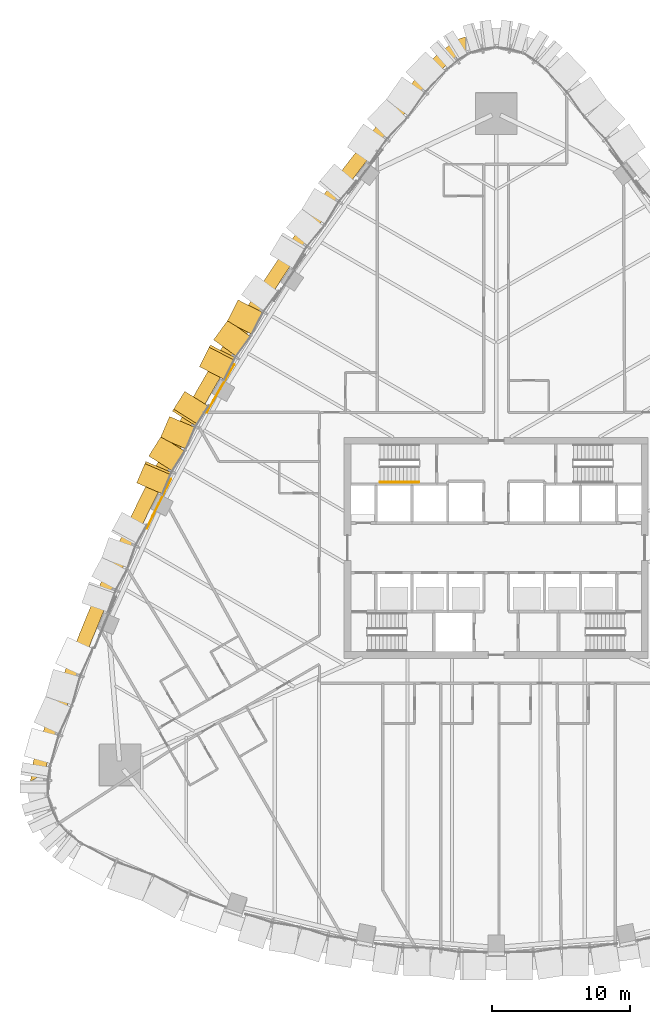
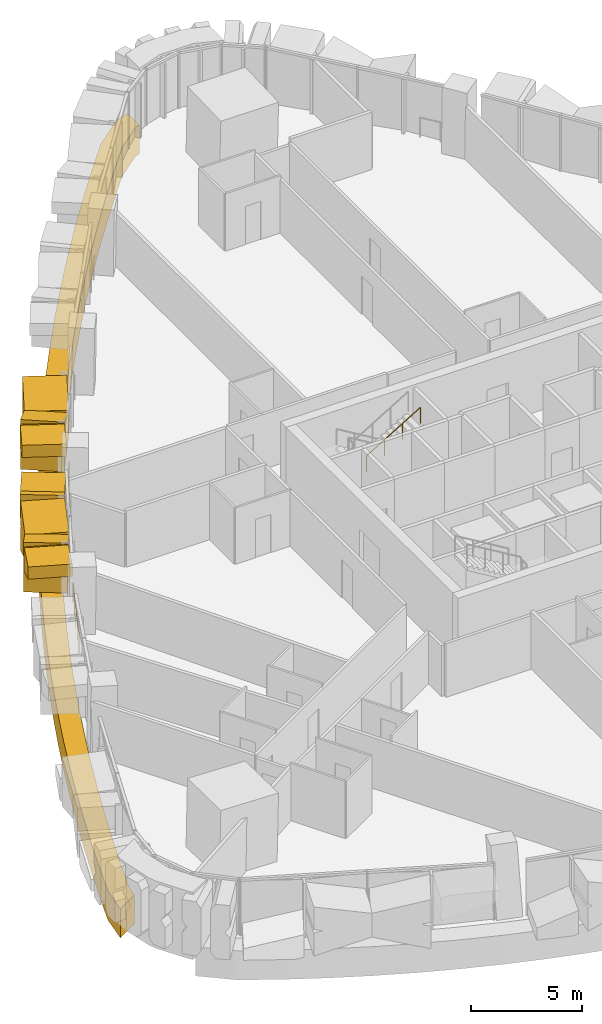
# One storey, part 23 of 27: 8 coverings, 3 railings.
"""IFC4 building model written with IfcOpenShell, lengths in metres."""

from ifc_helpers import new_model, si_unit, direction, frame, origin, origin_2d, place, context, subcontext, project, spatial, polyline, circle, outline, extrude, material, layer, layer_set, type_object, element, save


model = new_model("IFC4")

# Units and contexts
model_context = context("Model", 3, precision=1e-05, world=origin(), true_north=direction((0.0, 1.0)))
body_context = subcontext(model_context, "Body", "Model", "MODEL_VIEW")
ifc_project = project(units=[si_unit("LENGTHUNIT", "METRE"), si_unit("AREAUNIT", "SQUARE_METRE"), si_unit("VOLUMEUNIT", "CUBIC_METRE"), si_unit("PLANEANGLEUNIT", "RADIAN"), si_unit("MASSUNIT", "GRAM", prefix="KILO")], contexts=[model_context])

# Site, building, storey
site_placement = place(None, origin())
site = spatial("IfcSite", under=ifc_project, at=site_placement, CompositionType="ELEMENT")
building_placement = place(site_placement, origin())
building = spatial("IfcBuilding", under=site, at=building_placement, Name="Sierra Prisma Convention Tower", CompositionType="ELEMENT")
storey_placement = place(building_placement, frame((0.0, 0.0, 48.0)))
storey = spatial("IfcBuildingStorey", under=building, at=storey_placement, Name="L07", CompositionType="ELEMENT", Elevation=48.0)

# Coverings
ifc_material_1 = material(Name="Aluminium 6063-T6 bronze anodised", Category="aluminium")
ifc_layer_1 = layer(ifc_material_1, 2.0)
ifc_layer_set_1 = layer_set([ifc_layer_1], Name="Bronze crystal chevron frame")
covering_type_1 = type_object("IfcCoveringType", Name="Bronze crystal chevron frame", PredefinedType="CLADDING", material=ifc_layer_set_1)
covering_1_placement = place(storey_placement, frame((-18.674560546875, 17.9384765625, 1.415771484375), z_axis=(-0.890116959569, 0.455732156302, 0.0), x_axis=(0.0, 0.0, -1.0)))
element("IfcCovering", 1, at=covering_1_placement, inside=storey, type_object=covering_type_1, Name="CW-2 chevron frame NW3.1.2", PredefinedType="CLADDING", context=body_context, shape_type="SweptSolid", body=[
    extrude(outline(polyline([(0.0, 0.0), (1.290283203125, 0.0), (0.594482421875, 1.7614205186213332), (-0.742919921875, 1.7614205186213332), (-1.438720703125, 0.0), (-0.1484375, 0.0), (-0.07421875, 0.18813042507966893), (0.0, 0.0)])), origin(), (0.0, 0.0, -1.0), 2.0),
])
covering_2_placement = place(storey_placement, frame((-19.412353515625, 16.4765625, 0.8212890625), z_axis=(-0.80784851332, 0.589390175968, 0.0), x_axis=(-0.548165205395, -0.751343446648, -0.367420648269)))
element("IfcCovering", 2, at=covering_2_placement, inside=storey, type_object=covering_type_1, Name="CW-2 chevron frame NW3.2.1", PredefinedType="CLADDING", context=body_context, shape_type="SweptSolid", body=[
    extrude(outline(polyline([(0.0, 0.0), (1.8937443622965475, -1.1102230246251565e-16), (1.419667671354277, 1.2000341809180841), (1.2175440131175275, 1.1999850918362664), (1.365128668876907, 1.3380892011637218), (0.8910519779346365, 2.538123382081806), (-0.4913892361365672, 1.2438575672789527), (0.0, 0.0)])), origin(), (0.0, 0.0, -1.0), 2.0),
])
covering_3_placement = place(storey_placement, frame((-20.682861328125, 14.676025390625, 1.615478515625), z_axis=(-0.890089109573, 0.45578654697, -2.491508e-05), x_axis=(-0.423911952007, -0.82782227716, 0.367435619373)))
element("IfcCovering", 3, at=covering_3_placement, inside=storey, type_object=covering_type_1, Name="CW-2 chevron frame NW3.2.2", PredefinedType="CLADDING", context=body_context, shape_type="SweptSolid", body=[
    extrude(outline(polyline([(0.0, 0.0), (1.8936672009407782, 0.0), (2.1393718302041678, 0.6219248283739428), (0.6761350175011751, 1.200007649641764), (0.4740960079069053, 1.2000265490895539), (0.0, 0.0)])), origin(), (0.0, 0.0, -1.0), 2.0),
])
covering_4_placement = place(storey_placement, frame((-22.533935546875, 11.32275390625, 2.306396484375), z_axis=(-0.845803403888, 0.533494702681, 6.4674524e-05), x_axis=(-0.493397591393, -0.782187254672, -0.380449622732)))
element("IfcCovering", 4, at=covering_4_placement, inside=storey, type_object=covering_type_1, Name="CW-2 chevron frame NW4.1.1", PredefinedType="CLADDING", context=body_context, shape_type="SweptSolid", body=[
    extrude(outline(polyline([(0.0, 0.0), (1.8224735443570954, -1.1102230246251565e-16), (1.3287992902504153, 1.2000294767606214), (1.1464485185687483, 1.199986941643639), (-0.25626477273383447, 0.6229315759891919), (0.0, 0.0)])), origin(), (0.0, 0.0, -1.0), 2.0),
])
covering_5_placement = place(storey_placement, frame((-23.639404296875, 9.504638671875, 1.420654296875), z_axis=(-0.918853093864, 0.394599786995, 0.0), x_axis=(0.0, 0.0, -1.0)))
element("IfcCovering", 5, at=covering_5_placement, inside=storey, type_object=covering_type_1, Name="CW-2 chevron frame NW4.1.2", PredefinedType="CLADDING", context=body_context, shape_type="SweptSolid", body=[
    extrude(outline(polyline([(0.0, 0.0), (1.297607421875, 0.0), (0.604248046875, 1.6853454575571105), (-0.742919921875, 1.6853454575571105), (-1.4365234375, 0.0), (-0.138671875, 0.0), (-0.0693359375, 0.16874937901691758), (0.0, 0.0)])), origin(), (0.0, 0.0, -1.0), 2.0),
])
covering_6_placement = place(storey_placement, frame((-24.24658203125, 8.06591796875, 0.81640625), z_axis=(-0.84580199997, 0.533496932369, 0.0), x_axis=(-0.493378840931, -0.782199081351, -0.380449624071)))
element("IfcCovering", 6, at=covering_6_placement, inside=storey, type_object=covering_type_1, Name="CW-2 chevron frame NW4.2.1", PredefinedType="CLADDING", context=body_context, shape_type="SweptSolid", body=[
    extrude(outline(polyline([(0.0, 0.0), (1.8224735448039606, 0.0), (1.328799288959884, 1.2000294789803632), (1.1462575535766224, 1.1999083750610824), (1.276041626246914, 1.3282734571667878), (0.7822744871938359, 2.5285287177988875), (-0.5125295472714232, 1.2458631542829057), (0.0, 0.0)])), origin(), (0.0, 0.0, -1.0), 2.0),
])
covering_7_placement = place(storey_placement, frame((-25.35205078125, 6.247802734375, 1.613037109375), z_axis=(-0.918853093395, 0.394599786705, -3.3025836e-05), x_axis=(-0.364935536832, -0.84974597813, 0.380465276482)))
element("IfcCovering", 7, at=covering_7_placement, inside=storey, type_object=covering_type_1, Name="CW-2 chevron frame NW4.2.2", PredefinedType="CLADDING", context=body_context, shape_type="SweptSolid", body=[
    extrude(outline(polyline([(0.0, 0.0), (1.8223985661180964, 0.0), (2.078673882967493, 0.6229272393188241), (0.6761331007551459, 1.1999393879558227), (0.4936945665293738, 1.2000211225007433), (0.0, 0.0)])), origin(), (0.0, 0.0, -1.0), 2.0),
])
ifc_material_2 = material(Name="Aluminium composite bronze anodised", Category="aluminium")
ifc_layer_2 = layer(ifc_material_2, 1.0)
ifc_layer_set_2 = layer_set([ifc_layer_2], Name="Bronze spandrel band")
covering_type_2 = type_object("IfcCoveringType", Name="Bronze spandrel band", PredefinedType="CLADDING", material=ifc_layer_set_2)
covering_8_placement = place(storey_placement, frame((0.0, 0.0, -1.60009765625)))
element("IfcCovering", 8, at=covering_8_placement, inside=storey, type_object=covering_type_2, Name="Spandrel band L07.1", PredefinedType="CLADDING", context=body_context, shape_type="SweptSolid", body=[
    extrude(outline(polyline([(-28.599365234375, -2.504638671875), (-27.811279296875, -0.722900390625), (-27.805908203125, -0.71044921875), (-26.99365234375, 1.060302734375), (-26.98779296875, 1.072509765625), (-26.15185546875, 2.83251953125), (-26.14599609375, 2.844482421875), (-25.286376953125, 4.5927734375), (-25.2802734375, 4.60498046875), (-24.39697265625, 6.34130859375), (-24.390625, 6.353515625), (-23.48388671875, 8.07763671875), (-23.4775390625, 8.089599609375), (-22.547607421875, 9.801513671875), (-22.541015625, 9.8134765625), (-21.587890625, 11.5126953125), (-21.5810546875, 11.5244140625), (-20.60498046875, 13.21044921875), (-20.598388671875, 13.22216796875), (-19.599609375, 14.89501953125), (-19.592529296875, 14.906494140625), (-18.5712890625, 16.5654296875), (-18.56396484375, 16.576904296875), (-17.5205078125, 18.22216796875), (-17.512939453125, 18.2333984375), (-16.447265625, 19.8642578125), (-16.439697265625, 19.87548828125), (-15.351806640625, 21.49169921875), (-15.34423828125, 21.5029296875), (-14.234619140625, 23.104248046875), (-14.226806640625, 23.115478515625), (-13.095703125, 24.70166015625), (-13.087890625, 24.712646484375), (-11.935302734375, 26.283203125), (-11.92724609375, 26.294189453125), (-10.75341796875, 27.84912109375), (-10.7451171875, 27.85986328125), (-9.550537109375, 29.39892578125), (-9.542236328125, 29.409423828125), (-8.326904296875, 30.93212890625), (-8.318359375, 30.942626953125), (-7.08251953125, 32.44873046875), (-7.073974609375, 32.459228515625), (-5.817626953125, 33.948486328125), (-5.808837890625, 33.958740234375), (-4.53271484375, 35.4306640625), (-4.40576171875, 35.553466796875), (-3.0830078125, 36.622802734375), (-2.78759765625, 36.787841796875), (-2.2099609375, 36.9921875), (-2.2099609375, 35.931396484375), (-2.454345703125, 35.84521484375), (-3.777099609375, 34.775634765625), (-5.05322265625, 33.3037109375), (-6.3095703125, 31.814453125), (-7.54541015625, 30.308349609375), (-8.7607421875, 28.78564453125), (-9.40869140625, 27.95068359375), (-9.410400390625, 27.949951171875), (-9.41455078125, 27.947265625), (-9.41845703125, 27.9443359375), (-9.421875, 27.94091796875), (-9.425048828125, 27.93701171875), (-10.15625, 26.985595703125), (-10.158935546875, 26.981689453125), (-10.161376953125, 26.9775390625), (-10.1630859375, 26.973388671875), (-10.16455078125, 26.969482421875), (-11.12890625, 25.691650390625), (-12.281494140625, 24.12109375), (-13.41259765625, 22.534912109375), (-14.522216796875, 20.933349609375), (-14.96142578125, 20.281005859375), (-14.962890625, 20.280029296875), (-14.967041015625, 20.277099609375), (-14.970703125, 20.273681640625), (-14.973876953125, 20.27001953125), (-14.976806640625, 20.26611328125), (-15.643798828125, 19.2685546875), (-15.646240234375, 19.264404296875), (-15.6484375, 19.26025390625), (-15.649658203125, 19.256591796875), (-16.67578125, 17.686279296875), (-17.719482421875, 16.041259765625), (-18.740966796875, 14.382080078125), (-19.73974609375, 12.70947265625), (-19.9990234375, 12.261474609375), (-19.999267578125, 12.261474609375), (-20.0029296875, 12.25830078125), (-20.00634765625, 12.254638671875), (-20.009521484375, 12.250732421875), (-20.011962890625, 12.24658203125), (-20.612060546875, 11.20751953125), (-20.6142578125, 11.203125), (-20.6162109375, 11.198486328125), (-20.617431640625, 11.19384765625), (-20.61767578125, 11.19287109375), (-20.7158203125, 11.0234375), (-21.668701171875, 9.32421875), (-22.598876953125, 7.6123046875), (-23.505615234375, 5.887939453125), (-24.388916015625, 4.151611328125), (-24.49951171875, 3.927001953125), (-24.500732421875, 3.925537109375), (-24.50390625, 3.921875), (-24.506591796875, 3.917724609375), (-24.509033203125, 3.91357421875), (-25.039306640625, 2.837158203125), (-25.041259765625, 2.832763671875), (-25.042724609375, 2.827880859375), (-25.043701171875, 2.8232421875), (-25.044189453125, 2.818603515625), (-25.248779296875, 2.4033203125), (-26.084716796875, 0.6435546875), (-26.896728515625, -1.12744140625), (-27.684814453125, -2.9091796875), (-28.442626953125, -4.68701171875), (-28.44384765625, -4.688720703125), (-28.4462890625, -4.69287109375), (-28.448486328125, -4.697265625), (-28.90673828125, -5.80615234375), (-28.908447265625, -5.810791015625), (-28.90966796875, -5.815673828125), (-28.910400390625, -5.8203125), (-28.91064453125, -5.8251953125), (-28.910400390625, -5.826904296875), (-29.188232421875, -6.503662109375), (-29.9033203125, -8.31591796875), (-30.593994140625, -10.1376953125), (-31.259521484375, -11.968505859375), (-31.900390625, -13.808349609375), (-32.5166015625, -15.65673828125), (-32.605712890625, -16.27294921875), (-33.70849609375, -16.90966796875), (-33.506103515625, -15.513427734375), (-33.465087890625, -15.340576171875), (-32.84912109375, -13.4921875), (-32.844970703125, -13.4794921875), (-32.2041015625, -11.6396484375), (-32.199462890625, -11.626953125), (-31.53369140625, -9.7958984375), (-31.52880859375, -9.783203125), (-30.83837890625, -7.96142578125), (-30.83349609375, -7.948974609375), (-30.118408203125, -6.13671875), (-30.11328125, -6.1240234375), (-29.373779296875, -4.32177734375), (-29.36865234375, -4.30908203125), (-28.604736328125, -2.51708984375), (-28.599365234375, -2.504638671875)])), origin(), (0.0, 0.0, 1.0), 1.60009765625),
])

# Railings
ifc_material_3 = material(Name="Stainless steel", Category="steel")
railing_type_1 = type_object("IfcRailingType", Name="Exit stair handrail", PredefinedType="HANDRAIL", material=ifc_material_3)
railing_1_placement = place(storey_placement, frame((-8.39990234375, 4.75, 2.01806640625)))
element("IfcRailing", 9, at=railing_1_placement, inside=storey, type_object=railing_type_1, Name="L07 S3 stair handrail 2", PredefinedType="HANDRAIL", context=body_context, shape_type="SweptSolid", body=[
    extrude(circle(Radius=0.02392578125, at=origin_2d()), frame((0.0, 0.0, 0.8759765625), z_axis=(0.857222391501, 0.0, 0.514946377315), x_axis=(0.0, 1.0, 0.0)), (0.0, 0.0, 1.0), 3.26611328125),
    extrude(circle(Radius=0.02099609375, at=origin_2d()), origin(), (0.0, 0.0, 1.0), 0.851806640625),
    extrude(circle(Radius=0.02099609375, at=origin_2d()), frame((0.933349609375, 0.0, 0.560546875)), (0.0, 0.0, 1.0), 0.851806640625),
    extrude(circle(Radius=0.02099609375, at=origin_2d()), frame((1.866455078125, 0.0, 1.121337890625)), (0.0, 0.0, 1.0), 0.851806640625),
    extrude(circle(Radius=0.02099609375, at=origin_2d()), frame((2.7998046875, 0.0, 1.681884765625)), (0.0, 0.0, 1.0), 0.851806640625),
])
ifc_material_4 = material(Name="Bronze anodised aluminium", Category="aluminium")
railing_type_2 = type_object("IfcRailingType", Name="Facade guard 1100", PredefinedType="GUARDRAIL", material=ifc_material_4)
railing_2_placement = place(storey_placement, frame((-18.953369140625, 13.24609375, 0.0)))
element("IfcRailing", 10, at=railing_2_placement, inside=storey, type_object=railing_type_2, Name="Facade guard", PredefinedType="GUARDRAIL", context=body_context, shape_type="SweptSolid", body=[
    extrude(circle(Radius=0.02392578125, at=origin_2d()), frame((0.0, 0.0, 1.076171875), z_axis=(-0.511026381573, -0.859565027986, 0.0), x_axis=(0.859565027986, -0.511026381573, 0.0)), (0.0, 0.0, 1.0), 0.99462890625),
    extrude(circle(Radius=0.02392578125, at=origin_2d()), frame((-0.50830078125, -0.85498046875, 1.076171875), z_axis=(-0.50096890345, -0.865465283981, 0.0), x_axis=(0.865465283981, -0.50096890345, 0.0)), (0.0, 0.0, 1.0), 1.0),
    extrude(circle(Radius=0.02392578125, at=origin_2d()), frame((-1.00927734375, -1.720458984375, 1.076171875), z_axis=(-0.498886216717, -0.866667492623, 0.0), x_axis=(0.866667492623, -0.498886216717, 0.0)), (0.0, 0.0, 1.0), 0.994384765625),
    extrude(circle(Radius=0.02392578125, at=origin_2d()), frame((-1.50537109375, -2.582275390625, 1.076171875), z_axis=(-0.489183043596, -0.872181145094, 0.0), x_axis=(0.872181145094, -0.489183043596, 0.0)), (0.0, 0.0, 1.0), 1.000244140625),
    extrude(circle(Radius=0.02099609375, at=origin_2d()), origin(), (0.0, 0.0, 1.0), 1.052001953125),
    extrude(circle(Radius=0.02099609375, at=origin_2d()), frame((-0.50830078125, -0.85498046875, 0.0)), (0.0, 0.0, 1.0), 1.052001953125),
    extrude(circle(Radius=0.02099609375, at=origin_2d()), frame((-1.00927734375, -1.720458984375, 0.0)), (0.0, 0.0, 1.0), 1.052001953125),
    extrude(circle(Radius=0.02099609375, at=origin_2d()), frame((-1.50537109375, -2.582275390625, 0.0)), (0.0, 0.0, 1.0), 1.052001953125),
    extrude(circle(Radius=0.02099609375, at=origin_2d()), frame((-1.99462890625, -3.45458984375, 0.0)), (0.0, 0.0, 1.0), 1.052001953125),
])
railing_3_placement = place(storey_placement, frame((-23.518798828125, 4.97998046875, 0.0)))
element("IfcRailing", 11, at=railing_3_placement, inside=storey, type_object=railing_type_2, Name="Facade guard", PredefinedType="GUARDRAIL", context=body_context, shape_type="SweptSolid", body=[
    extrude(circle(Radius=0.02392578125, at=origin_2d()), frame((0.0, 0.0, 1.076171875), z_axis=(-0.453355170428, -0.89132995543, 0.0), x_axis=(0.89132995543, -0.453355170428, 0.0)), (0.0, 0.0, 1.0), 1.0),
    extrude(circle(Radius=0.02392578125, at=origin_2d()), frame((-0.453369140625, -0.891357421875, 1.076171875), z_axis=(-0.442887523223, -0.896577181158, 0.0), x_axis=(0.896577181158, -0.442887523223, 0.0)), (0.0, 0.0, 1.0), 0.994384765625),
    extrude(circle(Radius=0.02392578125, at=origin_2d()), frame((-0.893798828125, -1.782958984375, 1.076171875), z_axis=(-0.441145525918, -0.897435582626, 0.0), x_axis=(0.897435582626, -0.441145525918, 0.0)), (0.0, 0.0, 1.0), 0.99951171875),
    extrude(circle(Radius=0.02392578125, at=origin_2d()), frame((-1.334716796875, -2.679931640625, 1.076171875), z_axis=(-0.430152641588, -0.902756171364, 0.0), x_axis=(0.902756171364, -0.430152641588, 0.0)), (0.0, 0.0, 1.0), 0.994873046875),
    extrude(circle(Radius=0.02099609375, at=origin_2d()), origin(), (0.0, 0.0, 1.0), 1.052001953125),
    extrude(circle(Radius=0.02099609375, at=origin_2d()), frame((-0.453369140625, -0.891357421875, 0.0)), (0.0, 0.0, 1.0), 1.052001953125),
    extrude(circle(Radius=0.02099609375, at=origin_2d()), frame((-0.893798828125, -1.782958984375, 0.0)), (0.0, 0.0, 1.0), 1.052001953125),
    extrude(circle(Radius=0.02099609375, at=origin_2d()), frame((-1.334716796875, -2.679931640625, 0.0)), (0.0, 0.0, 1.0), 1.052001953125),
    extrude(circle(Radius=0.02099609375, at=origin_2d()), frame((-1.7626953125, -3.578125, 0.0)), (0.0, 0.0, 1.0), 1.052001953125),
])

save(model, "model.ifc")
